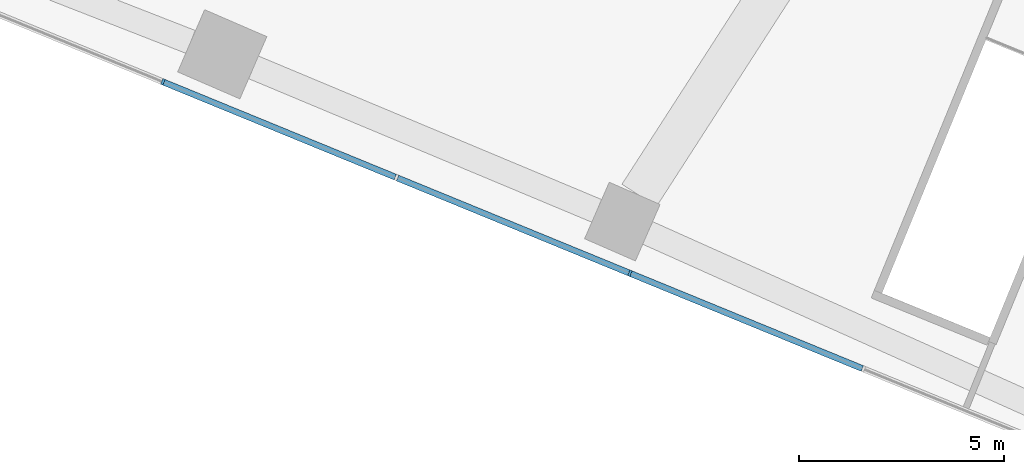
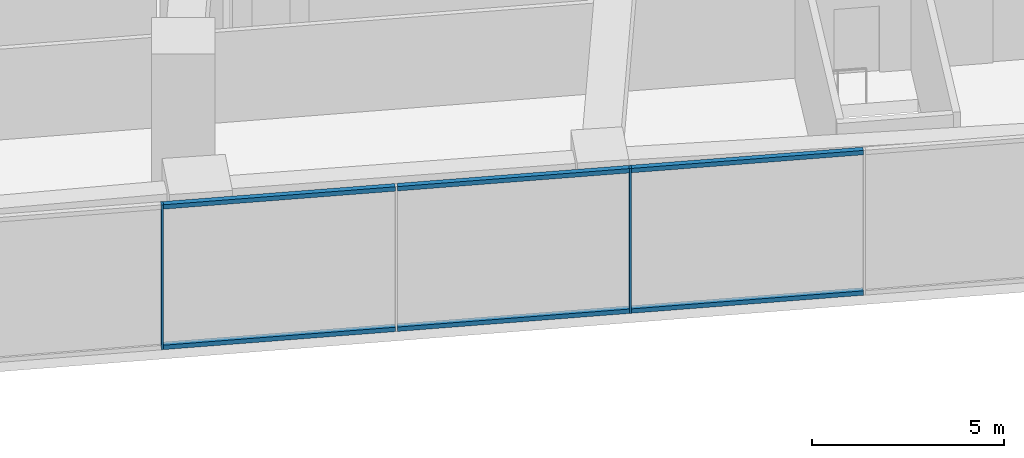
# One storey, part 3 of 33: 8 members, 1 element without a shape of its own.
"""IFC4 building model written with IfcOpenShell, lengths in metres."""

from ifc_helpers import new_model, si_unit, direction, frame, origin, origin_2d, place, context, subcontext, project, spatial, rectangle, extrude, material, layer, layer_set, material_profile, profile_set, type_object, element, aggregate, save


model = new_model("IFC4")

# Units and contexts
model_context = context("Model", 3, precision=1e-05, world=origin(), true_north=direction((0.0, 1.0)))
body_context = subcontext(model_context, "Body", "Model", "MODEL_VIEW")
ifc_project = project(units=[si_unit("LENGTHUNIT", "METRE"), si_unit("AREAUNIT", "SQUARE_METRE"), si_unit("VOLUMEUNIT", "CUBIC_METRE"), si_unit("PLANEANGLEUNIT", "RADIAN"), si_unit("MASSUNIT", "GRAM", prefix="KILO")], contexts=[model_context])

# Site, building, storey
site_placement = place(None, origin())
site = spatial("IfcSite", under=ifc_project, at=site_placement, CompositionType="ELEMENT")
building_placement = place(site_placement, origin())
building = spatial("IfcBuilding", under=site, at=building_placement, Name="Stone Belt Terrace Tower", CompositionType="ELEMENT")
storey_placement = place(building_placement, frame((0.0, 0.0, 25.39990234375)))
storey = spatial("IfcBuildingStorey", under=building, at=storey_placement, Name="L05", CompositionType="ELEMENT", Elevation=25.39990234375)

# Curtain wall, members
ifc_material = material(Name="Aluminium 6063-T6 anodised frame", Category="aluminium")
ifc_layer = layer(ifc_material, 0.14990234375)
ifc_layer_set = layer_set([ifc_layer], Name="CW-D podium shopfront")
curtain_wall_type = type_object("IfcCurtainWallType", Name="CW-D podium shopfront", PredefinedType="NOTDEFINED", material=ifc_layer_set)
curtain_wall_placement = place(storey_placement, origin())
curtain_wall = element("IfcCurtainWall", 1, at=curtain_wall_placement, inside=storey, type_object=curtain_wall_type, Name="CW-D end face L05", PredefinedType="NOTDEFINED")
ifc_material_profile_1 = material_profile(ifc_material, rectangle(XDim=0.14990234375, YDim=0.06005859375, at=origin_2d()), Name="Aluminium 6063-T6 60x150")
ifc_profile_set_1 = profile_set([ifc_material_profile_1], Name="Aluminium 6063-T6 anodised frame")
member_type_1 = type_object("IfcMemberType", Name="CW-D mullion 60 x 150", PredefinedType="MULLION", material=ifc_profile_set_1)
member_1_placement = place(storey_placement, frame((-51.9111328125, 21.1953125, 0.0), z_axis=(0.0, 0.0, 1.0), x_axis=(0.379243093825, 0.925297074342, 0.0)))
member_1 = element("IfcMember", 2, at=member_1_placement, type_object=member_type_1, Name="CW-D mullion 4", PredefinedType="MULLION", context=body_context, shape_type="SweptSolid", body=[
    extrude(rectangle(XDim=0.14990234375, YDim=0.06005859375, at=origin_2d()), origin(), (0.0, 0.0, 1.0), 4.60009765625),
])
member_2_placement = place(storey_placement, frame((-40.543212890625, 16.5361328125, 0.0), z_axis=(0.0, 0.0, 1.0), x_axis=(0.379243093825, 0.925297074342, 0.0)))
member_2 = element("IfcMember", 3, at=member_2_placement, type_object=member_type_1, Name="CW-D mullion 6", PredefinedType="MULLION", context=body_context, shape_type="SweptSolid", body=[
    extrude(rectangle(XDim=0.14990234375, YDim=0.06005859375, at=origin_2d()), origin(), (0.0, 0.0, 1.0), 4.60009765625),
])
ifc_material_profile_2 = material_profile(ifc_material, rectangle(XDim=0.14990234375, YDim=0.139892578125, at=origin_2d()), Name="Aluminium 6063-T6 150x140")
ifc_profile_set_2 = profile_set([ifc_material_profile_2], Name="Aluminium 6063-T6 anodised frame")
member_type_2 = type_object("IfcMemberType", Name="CW-D transom 140 x 150", PredefinedType="USERDEFINED", material=ifc_profile_set_2)
member_3_placement = place(storey_placement, frame((-51.88330078125, 21.183837890625, 0.070068359375), z_axis=(0.925296134112, -0.379245387838, 0.0), x_axis=(0.379245387838, 0.925296134112, 0.0)))
member_3 = element("IfcMember", 4, at=member_3_placement, type_object=member_type_2, Name="CW-D transom 4.1", ObjectType="TRANSOM", PredefinedType="USERDEFINED", context=body_context, shape_type="SweptSolid", body=[
    extrude(rectangle(XDim=0.14990234375, YDim=0.139892578125, at=origin_2d()), origin(), (0.0, 0.0, 1.0), 6.082763671875),
])
member_4_placement = place(storey_placement, frame((-51.88330078125, 21.183837890625, 4.530029296875), z_axis=(0.925296134112, -0.379245387838, 0.0), x_axis=(0.379245387838, 0.925296134112, 0.0)))
member_4 = element("IfcMember", 5, at=member_4_placement, type_object=member_type_2, Name="CW-D transom 4.2", ObjectType="TRANSOM", PredefinedType="USERDEFINED", context=body_context, shape_type="SweptSolid", body=[
    extrude(rectangle(XDim=0.14990234375, YDim=0.139892578125, at=origin_2d()), origin(), (0.0, 0.0, 1.0), 6.082763671875),
])
member_5_placement = place(storey_placement, frame((-46.199462890625, 18.854248046875, 0.070068359375), z_axis=(0.925296134112, -0.379245387838, 0.0), x_axis=(0.379245387838, 0.925296134112, 0.0)))
member_5 = element("IfcMember", 6, at=member_5_placement, type_object=member_type_2, Name="CW-D transom 5.1", ObjectType="TRANSOM", PredefinedType="USERDEFINED", context=body_context, shape_type="SweptSolid", body=[
    extrude(rectangle(XDim=0.14990234375, YDim=0.139892578125, at=origin_2d()), origin(), (0.0, 0.0, 1.0), 6.082763671875),
])
member_6_placement = place(storey_placement, frame((-46.199462890625, 18.854248046875, 4.530029296875), z_axis=(0.925296134112, -0.379245387838, 0.0), x_axis=(0.379245387838, 0.925296134112, 0.0)))
member_6 = element("IfcMember", 7, at=member_6_placement, type_object=member_type_2, Name="CW-D transom 5.2", ObjectType="TRANSOM", PredefinedType="USERDEFINED", context=body_context, shape_type="SweptSolid", body=[
    extrude(rectangle(XDim=0.14990234375, YDim=0.139892578125, at=origin_2d()), origin(), (0.0, 0.0, 1.0), 6.082763671875),
])
member_7_placement = place(storey_placement, frame((-40.515380859375, 16.524658203125, 0.070068359375), z_axis=(0.925296134112, -0.379245387838, 0.0), x_axis=(0.379245387838, 0.925296134112, 0.0)))
member_7 = element("IfcMember", 8, at=member_7_placement, type_object=member_type_2, Name="CW-D transom 6.1", ObjectType="TRANSOM", PredefinedType="USERDEFINED", context=body_context, shape_type="SweptSolid", body=[
    extrude(rectangle(XDim=0.14990234375, YDim=0.139892578125, at=origin_2d()), origin(), (0.0, 0.0, 1.0), 6.082763671875),
])
member_8_placement = place(storey_placement, frame((-40.515380859375, 16.524658203125, 4.530029296875), z_axis=(0.925296134112, -0.379245387838, 0.0), x_axis=(0.379245387838, 0.925296134112, 0.0)))
member_8 = element("IfcMember", 9, at=member_8_placement, type_object=member_type_2, Name="CW-D transom 6.2", ObjectType="TRANSOM", PredefinedType="USERDEFINED", context=body_context, shape_type="SweptSolid", body=[
    extrude(rectangle(XDim=0.14990234375, YDim=0.139892578125, at=origin_2d()), origin(), (0.0, 0.0, 1.0), 6.082763671875),
])
aggregate(curtain_wall, [member_1, member_2, member_3, member_4, member_5, member_6, member_7, member_8])

save(model, "model.ifc")
